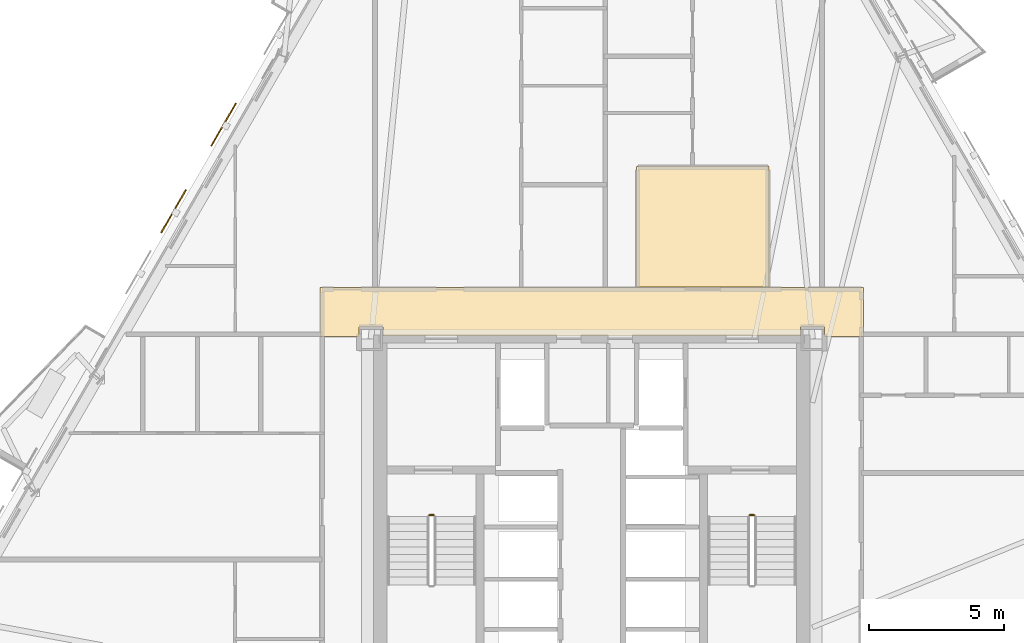
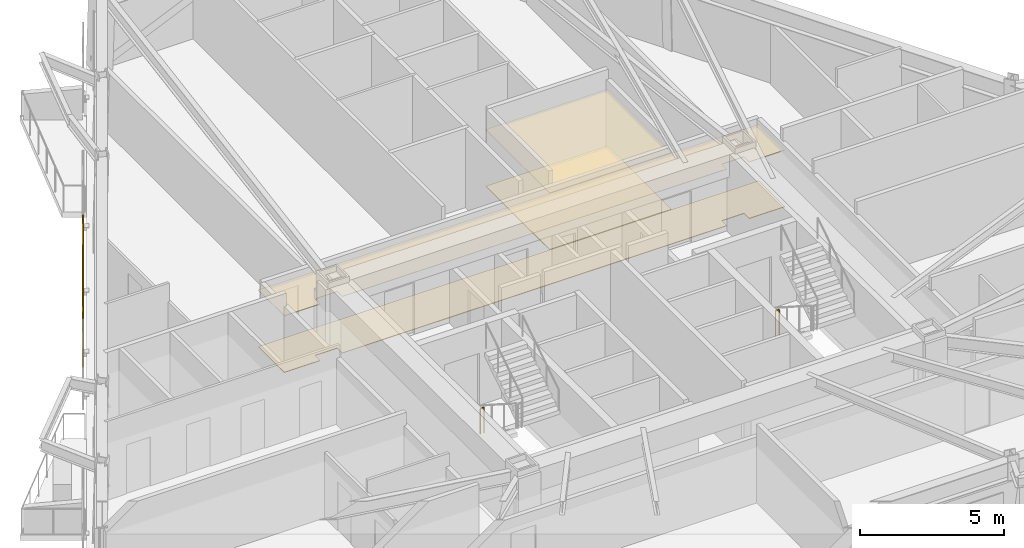
# One storey, part 10 of 11: 4 coverings, 2 railings, 2 shading devices.
"""IFC4 building model written with IfcOpenShell, lengths in metres."""

from ifc_helpers import new_model, si_unit, direction, frame, origin, origin_2d, place, context, subcontext, project, spatial, polyline, rectangle, circle, outline, extrude, material, layer, layer_set, type_object, element, save


model = new_model("IFC4")

# Units and contexts
model_context = context("Model", 3, precision=1e-05, world=origin(), true_north=direction((0.0, 1.0)))
body_context = subcontext(model_context, "Body", "Model", "MODEL_VIEW")
ifc_project = project(units=[si_unit("LENGTHUNIT", "METRE"), si_unit("AREAUNIT", "SQUARE_METRE"), si_unit("VOLUMEUNIT", "CUBIC_METRE"), si_unit("PLANEANGLEUNIT", "RADIAN"), si_unit("MASSUNIT", "GRAM", prefix="KILO")], contexts=[model_context])

# Site, building, storey
site_placement = place(None, origin())
site = spatial("IfcSite", under=ifc_project, at=site_placement, CompositionType="ELEMENT")
building_placement = place(site_placement, origin())
building = spatial("IfcBuilding", under=site, at=building_placement, Name="Oramaril Tower", CompositionType="ELEMENT")
storey_placement = place(building_placement, frame((0.0, 0.0, 86.10009765625)))
storey = spatial("IfcBuildingStorey", under=building, at=storey_placement, Name="L22", CompositionType="ELEMENT", Elevation=86.10009765625)

# Coverings
ifc_material_1 = material(Name="Mineral Fibre Acoustic Ceiling")
ifc_layer_1 = layer(ifc_material_1, 0.02001953125)
ifc_layer_set_1 = layer_set([ifc_layer_1], Name="CVT-CEIL")
covering_type_1 = type_object("IfcCoveringType", Name="CVT-CEIL", PredefinedType="CEILING", material=ifc_layer_set_1)
covering_1_placement = place(storey_placement, frame((0.0, 0.0, 2.39990234375)))
element("IfcCovering", 1, at=covering_1_placement, inside=storey, type_object=covering_type_1, Name="L22 Acoustic Suspended Ceiling 2", PredefinedType="CEILING", context=body_context, shape_type="SweptSolid", body=[
    extrude(outline(polyline([(47.530029296875, 24.239990234375), (46.094970703125, 24.239990234375), (46.094970703125, 24.594970703125), (45.205078125, 24.594970703125), (45.205078125, 24.25), (29.794921875, 24.25), (29.794921875, 24.594970703125), (28.905029296875, 24.594970703125), (28.905029296875, 24.239990234375), (27.469970703125, 24.239990234375), (27.469970703125, 26.050048828125), (47.530029296875, 26.050048828125), (47.530029296875, 24.239990234375)])), origin(), (0.0, 0.0, 1.0), 0.02001953125),
])
covering_2_placement = place(storey_placement, frame((0.0, 0.0, 2.39990234375)))
element("IfcCovering", 2, at=covering_2_placement, inside=storey, type_object=covering_type_1, Name="L22 Acoustic Suspended Ceiling 5", PredefinedType="CEILING", context=body_context, shape_type="SweptSolid", body=[
    extrude(outline(polyline([(44.0419921875, 30.511962890625), (44.0419921875, 26.070068359375), (39.157958984375, 26.070068359375), (39.157958984375, 30.511962890625), (44.0419921875, 30.511962890625)])), origin(), (0.0, 0.0, 1.0), 0.02001953125),
])
ifc_material_2 = material(Name="Honed Quartzite Stone Flooring", Category="masonry")
ifc_layer_2 = layer(ifc_material_2, 0.02490234375)
ifc_layer_set_2 = layer_set([ifc_layer_2], Name="CVT-FLR")
covering_type_2 = type_object("IfcCoveringType", Name="CVT-FLR", PredefinedType="FLOORING", material=ifc_layer_set_2)
covering_3_placement = place(storey_placement, origin())
element("IfcCovering", 3, at=covering_3_placement, inside=storey, type_object=covering_type_2, Name="L22 Honed Stone Floor Finish 2", PredefinedType="FLOORING", context=body_context, shape_type="SweptSolid", body=[
    extrude(outline(polyline([(47.530029296875, 24.239990234375), (46.094970703125, 24.239990234375), (46.094970703125, 24.594970703125), (45.205078125, 24.594970703125), (45.205078125, 24.25), (29.794921875, 24.25), (29.794921875, 24.594970703125), (28.905029296875, 24.594970703125), (28.905029296875, 24.239990234375), (27.469970703125, 24.239990234375), (27.469970703125, 26.050048828125), (47.530029296875, 26.050048828125), (47.530029296875, 24.239990234375)])), origin(), (0.0, 0.0, 1.0), 0.02490234375),
])
covering_4_placement = place(storey_placement, origin())
element("IfcCovering", 4, at=covering_4_placement, inside=storey, type_object=covering_type_2, Name="L22 Honed Stone Floor Finish 5", PredefinedType="FLOORING", context=body_context, shape_type="SweptSolid", body=[
    extrude(outline(polyline([(44.0419921875, 30.511962890625), (44.0419921875, 26.070068359375), (39.157958984375, 26.070068359375), (39.157958984375, 30.511962890625), (44.0419921875, 30.511962890625)])), origin(), (0.0, 0.0, 1.0), 0.02490234375),
])

# Railings
ifc_material_3 = material(Name="Stainless Steel 316L", Category="steel")
railing_type = type_object("IfcRailingType", Name="RLT-GRD", PredefinedType="GUARDRAIL", material=ifc_material_3)
for number, where, name in (
    (5, (31.510009765625, 17.639892578125, 0.0), "L22 ST-1 stair guard 4"),
    (6, (43.340087890625, 17.639892578125, 0.0), "L22 ST-2 stair guard 4"),
):
    element("IfcRailing", number, at=place(storey_placement, frame(where)), inside=storey, type_object=railing_type, Name=name, PredefinedType="GUARDRAIL", context=body_context, shape_type="SweptSolid", body=[
        extrude(circle(Radius=0.02392578125, at=origin_2d()), frame((0.0, 0.0, 1.076171875), z_axis=(1.0, 0.0, 0.0), x_axis=(0.0, 1.0, 0.0)), (0.0, 0.0, 1.0), 0.14990234375),
        extrude(circle(Radius=0.02099609375, at=origin_2d()), origin(), (0.0, 0.0, 1.0), 1.052001953125),
        extrude(circle(Radius=0.02099609375, at=origin_2d()), frame((0.14990234375, 0.0, 0.0)), (0.0, 0.0, 1.0), 1.052001953125),
    ])

# Shading devices
for number, where, z_axis, x_axis, name in (
    (7, (23.911376953125, 32.063232421875, -0.02001953125), (0.0, 0.0, 1.0), (-0.5, -0.866025403784, 0.0), "L22 Perforated Ceramic Solar Screen"),
    (8, (22.061279296875, 28.85888671875, -0.02001953125), (0.0, 0.0, 1.0), (-0.5, -0.866025403784, 0.0), "L22 Perforated Ceramic Solar Screen"),
):
    element("IfcShadingDevice", number, at=place(storey_placement, frame(where, z_axis=z_axis, x_axis=x_axis)), inside=storey, Name=name, ObjectType="SCREEN", PredefinedType="USERDEFINED", context=body_context, shape_type="SweptSolid", body=[
        extrude(rectangle(XDim=1.8330078125, YDim=0.050048828125, at=origin_2d()), origin(), (0.0, 0.0, 1.0), 2.577880859375),
    ])

save(model, "model.ifc")
